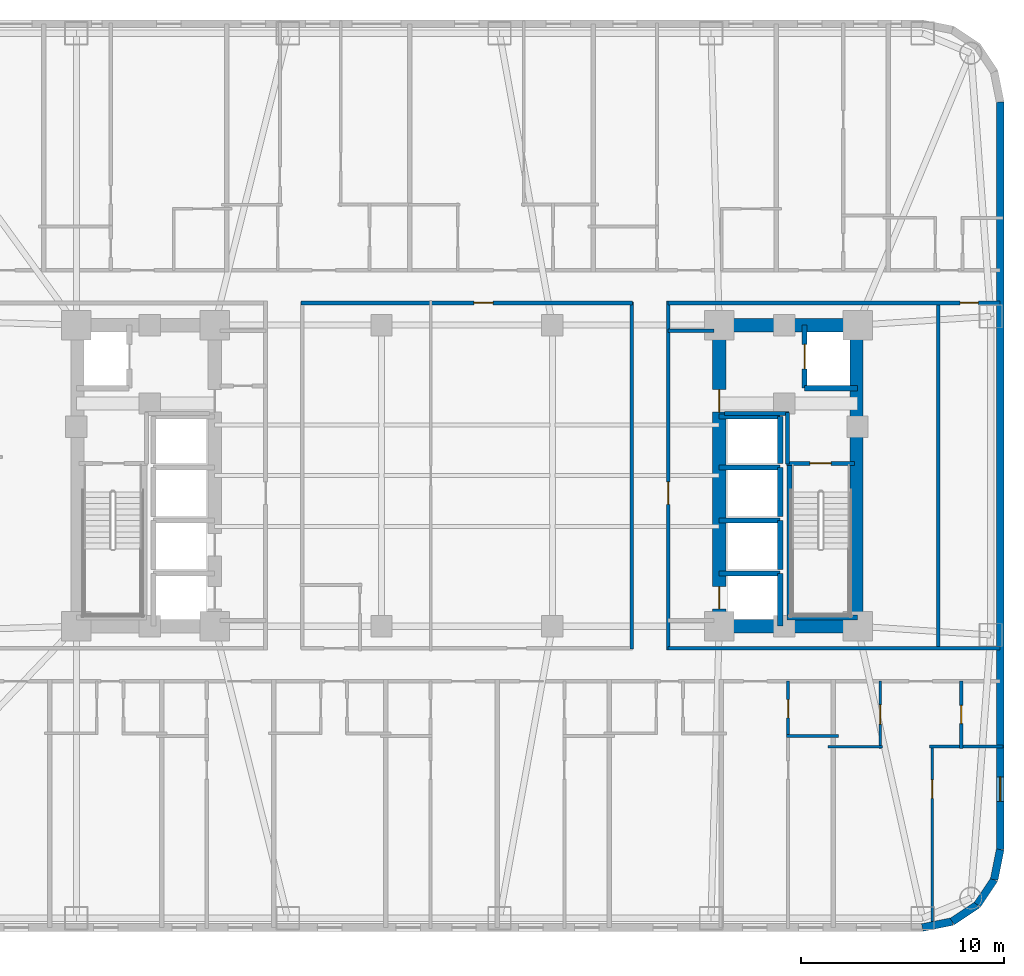
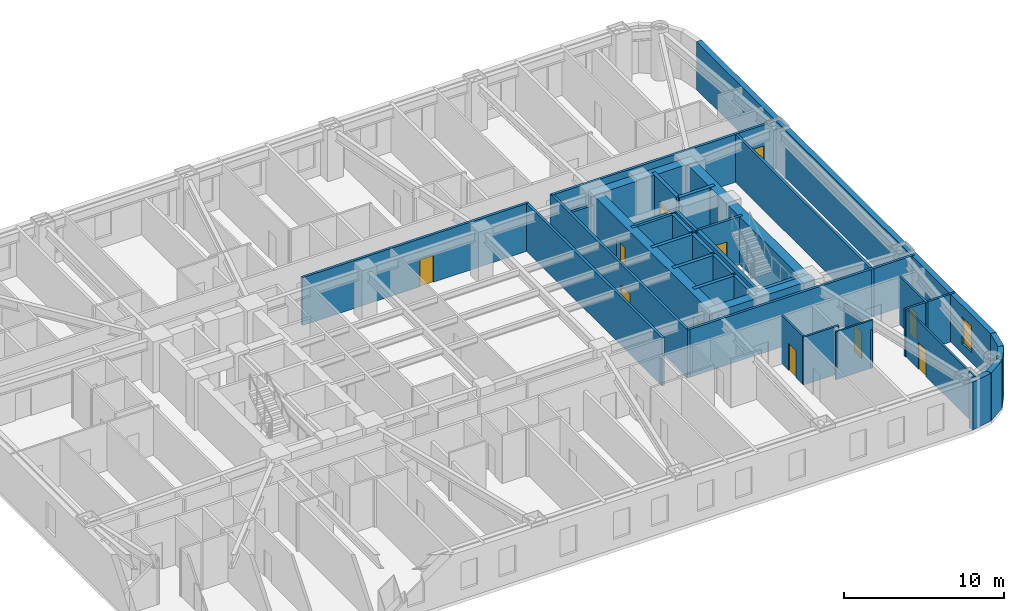
# One storey, part 6 of 11: 38 walls, 11 doors, 1 window, 12 openings.
"""IFC4 building model written with IfcOpenShell, lengths in metres."""

from ifc_helpers import new_model, si_unit, direction, frame, frame_2d, origin, place, context, subcontext, project, spatial, rectangle, extrude, material, layer, layer_set, type_object, element, fill, save


model = new_model("IFC4")

# Units and contexts
model_context = context("Model", 3, precision=1e-05, world=origin(), true_north=direction((0.0, 1.0)))
body_context = subcontext(model_context, "Body", "Model", "MODEL_VIEW")
ifc_project = project(units=[si_unit("LENGTHUNIT", "METRE"), si_unit("AREAUNIT", "SQUARE_METRE"), si_unit("VOLUMEUNIT", "CUBIC_METRE"), si_unit("PLANEANGLEUNIT", "RADIAN"), si_unit("MASSUNIT", "GRAM", prefix="KILO")], contexts=[model_context])

# Site, building, storey
site_placement = place(None, origin())
site = spatial("IfcSite", under=ifc_project, at=site_placement, CompositionType="ELEMENT")
building_placement = place(site_placement, origin())
building = spatial("IfcBuilding", under=site, at=building_placement, Name="Voryun Gate Residences", CompositionType="ELEMENT")
storey_placement = place(building_placement, frame((0.0, 0.0, 33.800048828125)))
storey = spatial("IfcBuildingStorey", under=building, at=storey_placement, Name="L07", CompositionType="ELEMENT", Elevation=33.800048828125)

# Walls
ifc_material_1 = material(Name="Concrete C60/75", Category="concrete")
ifc_layer_1 = layer(ifc_material_1, 0.64990234375, Name="CW_CORE_650")
ifc_layer_set_1 = layer_set([ifc_layer_1], Name="Concrete C60/75")
wall_type_1 = type_object("IfcWallType", Name="CW_CORE_650", PredefinedType="SHEAR", material=ifc_layer_set_1)
for number, where, z_axis, x_axis, name in (
    (1, (12.074951171875, -7.39990234375, 0.0), (0.0, 0.0, 1.0), (1.0, 0.0, 0.0), "L07 Core shear wall CW-L07-ES"),
    (2, (12.074951171875, 7.39990234375, 0.0), (0.0, 0.0, 1.0), (1.0, 0.0, 0.0), "L07 Core shear wall CW-L07-EN"),
):
    element("IfcWall", number, at=place(storey_placement, frame(where, z_axis=z_axis, x_axis=x_axis)), inside=storey, type_object=wall_type_1, Name=name, PredefinedType="SHEAR", context=body_context, shape_type="SweptSolid", body=[
        extrude(rectangle(XDim=7.449951171875, YDim=0.64990234375, at=frame_2d((3.72509765625, 0.0))), origin(), (0.0, 0.0, 1.0), 3.64990234375),
    ])

# Wall, openings, doors
wall_1_placement = place(storey_placement, frame((12.39990234375, -7.39990234375, 0.0), z_axis=(0.0, 0.0, 1.0), x_axis=(0.0, 1.0, 0.0)))
wall_1 = element("IfcWall", 3, at=wall_1_placement, inside=storey, type_object=wall_type_1, Name="L07 Core shear wall CW-L07-EW", PredefinedType="SHEAR", context=body_context, shape_type="SweptSolid", body=[
    extrude(rectangle(XDim=14.7998046875, YDim=0.64990234375, at=frame_2d((7.39990234375, 0.0))), origin(), (0.0, 0.0, 1.0), 3.64990234375),
])
opening_1_placement = place(wall_1_placement, frame((0.85009765625, 0.0, 0.0)))
opening_1 = element("IfcOpeningElement", 4, at=opening_1_placement, cuts=wall_1, Name="Opening LD2", PredefinedType="OPENING", context=body_context, shape_type="SweptSolid", body=[
    extrude(rectangle(XDim=1.10009765625, YDim=2.050048828125, at=frame_2d((0.550048828125, 1.02490234375))), frame((0.0, 0.3349609375, 0.0), z_axis=(0.0, -1.0, 0.0), x_axis=(1.0, 0.0, 0.0)), (0.0, 0.0, 1.0), 0.669921875),
])
opening_2_placement = place(wall_1_placement, frame((10.530029296875, 0.0, 0.0)))
opening_2 = element("IfcOpeningElement", 5, at=opening_2_placement, cuts=wall_1, Name="Opening D-FD60-2", PredefinedType="OPENING", context=body_context, shape_type="SweptSolid", body=[
    extrude(rectangle(XDim=1.10009765625, YDim=2.050048828125, at=frame_2d((0.550048828125, 1.02490234375))), frame((0.0, 0.3349609375, 0.0), z_axis=(0.0, -1.0, 0.0), x_axis=(1.0, 0.0, 0.0)), (0.0, 0.0, 1.0), 0.669921875),
])
ifc_material_2 = material(Name="Painted steel fire door", Category="steel")
door_type_1 = type_object("IfcDoorType", Name="DR_FD60_FFLOB_1100", OperationType="NOTDEFINED", PredefinedType="DOOR", material=ifc_material_2)
door_1_placement = place(opening_2_placement, origin())
door_1 = element("IfcDoor", 6, at=door_1_placement, inside=storey, type_object=door_type_1, Name="Door DR-L07-CLOB-E", OperationType="SINGLE_SWING_RIGHT", OverallHeight=2.050048828125, OverallWidth=1.10009765625, PredefinedType="DOOR", context=body_context, shape_type="SweptSolid", body=[
    extrude(rectangle(XDim=1.10009765625, YDim=2.050048828125, at=frame_2d((0.550048828125, 1.02490234375))), frame((0.0, 0.02490234375, 0.0), z_axis=(0.0, -1.0, 0.0), x_axis=(1.0, 0.0, 0.0)), (0.0, 0.0, 1.0), 0.050048828125),
])
fill(opening_2, door_1)
ifc_material_3 = material(Name="Anodised aluminium", Category="aluminium")
door_type_2 = type_object("IfcDoorType", Name="DR_LD_PASS_1100", OperationType="NOTDEFINED", PredefinedType="DOOR", material=ifc_material_3)
door_2_placement = place(opening_1_placement, origin())
door_2 = element("IfcDoor", 7, at=door_2_placement, inside=storey, type_object=door_type_2, Name="Lift EL-P3 sliding landing door L07", OperationType="SLIDING_TO_LEFT", OverallHeight=2.050048828125, OverallWidth=1.10009765625, PredefinedType="DOOR", context=body_context, shape_type="SweptSolid", body=[
    extrude(rectangle(XDim=1.10009765625, YDim=2.050048828125, at=frame_2d((0.550048828125, 1.02490234375))), frame((0.0, 0.02490234375, 0.0), z_axis=(0.0, -1.0, 0.0), x_axis=(1.0, 0.0, 0.0)), (0.0, 0.0, 1.0), 0.050048828125),
])
fill(opening_1, door_2)

# Wall
wall_2_placement = place(storey_placement, frame((19.14501953125, -7.39990234375, 0.0), z_axis=(0.0, 0.0, 1.0), x_axis=(0.0, 1.0, 0.0)))
element("IfcWall", 8, at=wall_2_placement, inside=storey, type_object=wall_type_1, Name="L07 Core shear wall CW-L07-EE", PredefinedType="SHEAR", context=body_context, shape_type="SweptSolid", body=[
    extrude(rectangle(XDim=14.7998046875, YDim=0.64990234375, at=frame_2d((7.39990234375, 0.0))), origin(), (0.0, 0.0, 1.0), 3.64990234375),
])

# Wall, opening, door
ifc_material_4 = material(Name="Gypsum acoustic fireboard")
ifc_layer_2 = layer(ifc_material_4, 0.179931640625, Name="W_CORR_RATED_180")
ifc_layer_set_2 = layer_set([ifc_layer_2], Name="Gypsum acoustic fireboard")
wall_type_2 = type_object("IfcWallType", Name="W_CORR_RATED_180", PredefinedType="PARTITIONING", material=ifc_layer_set_2)
wall_3_placement = place(storey_placement, frame((15.699951171875, 0.60009765625, 0.0), z_axis=(0.0, 0.0, 1.0), x_axis=(1.0, 0.0, 0.0)))
wall_3 = element("IfcWall", 9, at=wall_3_placement, inside=storey, type_object=wall_type_2, Name="Partition wall WP-L07-STV-E", PredefinedType="PARTITIONING", context=body_context, shape_type="SweptSolid", body=[
    extrude(rectangle(XDim=3.360107421875, YDim=0.179931640625, at=frame_2d((1.68017578125, 0.0))), origin(), (0.0, 0.0, 1.0), 3.64990234375),
])
opening_3_placement = place(wall_3_placement, frame((1.155029296875, 0.0, 0.0)))
opening_3 = element("IfcOpeningElement", 10, at=opening_3_placement, cuts=wall_3, Name="Opening D-FD60-1", PredefinedType="OPENING", context=body_context, shape_type="SweptSolid", body=[
    extrude(rectangle(XDim=1.050048828125, YDim=2.050048828125, at=frame_2d((0.52490234375, 1.02490234375))), frame((0.0, 0.099853515625, 0.0), z_axis=(0.0, -1.0, 0.0), x_axis=(1.0, 0.0, 0.0)), (0.0, 0.0, 1.0), 0.199951171875),
])
ifc_material_5 = material(Name="Painted steel fire door", Category="steel")
door_type_3 = type_object("IfcDoorType", Name="DR_FD60_STAIR_1050", OperationType="NOTDEFINED", PredefinedType="DOOR", material=ifc_material_5)
door_3_placement = place(opening_3_placement, origin())
door_3 = element("IfcDoor", 11, at=door_3_placement, inside=storey, type_object=door_type_3, Name="Door DR-L07-ST-E", OperationType="SINGLE_SWING_RIGHT", OverallHeight=2.050048828125, OverallWidth=1.050048828125, PredefinedType="DOOR", context=body_context, shape_type="SweptSolid", body=[
    extrude(rectangle(XDim=1.050048828125, YDim=2.050048828125, at=frame_2d((0.52490234375, 1.02490234375))), frame((0.0, 0.02490234375, 0.0), z_axis=(0.0, -1.0, 0.0), x_axis=(1.0, 0.0, 0.0)), (0.0, 0.0, 1.0), 0.050048828125),
])
fill(opening_3, door_3)

# Wall
wall_4_placement = place(storey_placement, frame((9.8798828125, 7.1201171875, 0.0), z_axis=(0.0, 0.0, 1.0), x_axis=(1.0, 0.0, 0.0)))
element("IfcWall", 12, at=wall_4_placement, inside=storey, type_object=wall_type_2, Name="Partition wall WP-L07-PLBN-E", PredefinedType="PARTITIONING", context=body_context, shape_type="SweptSolid", body=[
    extrude(rectangle(XDim=2.27001953125, YDim=0.179931640625, at=frame_2d((1.135009765625, 0.0))), origin(), (0.0, 0.0, 1.0), 2.93994140625),
])

# Wall, opening, door
wall_5_placement = place(storey_placement, frame((9.89990234375, -8.580078125, 0.0), z_axis=(0.0, 0.0, 1.0), x_axis=(0.0, 1.0, 0.0)))
wall_5 = element("IfcWall", 13, at=wall_5_placement, inside=storey, type_object=wall_type_2, Name="Partition wall WP-L07-PLBE-FULL", PredefinedType="PARTITIONING", context=body_context, shape_type="SweptSolid", body=[
    extrude(rectangle(XDim=17.16015625, YDim=0.179931640625, at=frame_2d((8.580078125, 0.0))), origin(), (0.0, 0.0, 1.0), 3.64990234375),
])
opening_4_placement = place(wall_5_placement, frame((7.172119140625, 0.0, 0.0)))
opening_4 = element("IfcOpeningElement", 14, at=opening_4_placement, cuts=wall_5, Name="Opening D-FD60-2", PredefinedType="OPENING", context=body_context, shape_type="SweptSolid", body=[
    extrude(rectangle(XDim=1.10009765625, YDim=2.050048828125, at=frame_2d((0.550048828125, 1.02490234375))), frame((0.0, 0.099853515625, 0.0), z_axis=(0.0, -1.0, 0.0), x_axis=(1.0, 0.0, 0.0)), (0.0, 0.0, 1.0), 0.199951171875),
])
door_4_placement = place(opening_4_placement, origin())
door_4 = element("IfcDoor", 15, at=door_4_placement, inside=storey, type_object=door_type_1, Name="Door DR-L07-PLBE-COR", OperationType="SINGLE_SWING_RIGHT", OverallHeight=2.050048828125, OverallWidth=1.10009765625, PredefinedType="DOOR", context=body_context, shape_type="SweptSolid", body=[
    extrude(rectangle(XDim=1.10009765625, YDim=2.050048828125, at=frame_2d((0.550048828125, 1.02490234375))), frame((0.0, 0.02490234375, 0.0), z_axis=(0.0, -1.0, 0.0), x_axis=(1.0, 0.0, 0.0)), (0.0, 0.0, 1.0), 0.050048828125),
])
fill(opening_4, door_4)

wall_6_placement = place(storey_placement, frame((9.8798828125, 8.489990234375, 0.0), z_axis=(0.0, 0.0, 1.0), x_axis=(1.0, 0.0, 0.0)))
wall_6 = element("IfcWall", 16, at=wall_6_placement, inside=storey, type_object=wall_type_2, Name="Partition wall WP-L07-CWING-EN", PredefinedType="PARTITIONING", context=body_context, shape_type="SweptSolid", body=[
    extrude(rectangle(XDim=16.330078125, YDim=0.179931640625, at=frame_2d((8.1650390625, 0.0))), origin(), (0.0, 0.0, 1.0), 3.64990234375),
])
opening_5_placement = place(wall_6_placement, frame((14.364501953125, 0.0, 0.0)))
opening_5 = element("IfcOpeningElement", 17, at=opening_5_placement, cuts=wall_6, Name="Opening D-INT-2", PredefinedType="OPENING", context=body_context, shape_type="SweptSolid", body=[
    extrude(rectangle(XDim=0.89990234375, YDim=2.050048828125, at=frame_2d((0.449951171875, 1.02490234375))), frame((0.0, 0.099853515625, 0.0), z_axis=(0.0, -1.0, 0.0), x_axis=(1.0, 0.0, 0.0)), (0.0, 0.0, 1.0), 0.199951171875),
])
ifc_material_6 = material(Name="Architectural oak veneer")
door_type_4 = type_object("IfcDoorType", Name="DR_INT_BATH_900", OperationType="NOTDEFINED", PredefinedType="DOOR", material=ifc_material_6)
door_5_placement = place(opening_5_placement, origin())
door_5 = element("IfcDoor", 18, at=door_5_placement, inside=storey, type_object=door_type_4, Name="Door DR-L07-EE1N", OperationType="SINGLE_SWING_LEFT", OverallHeight=2.050048828125, OverallWidth=0.89990234375, PredefinedType="DOOR", context=body_context, shape_type="SweptSolid", body=[
    extrude(rectangle(XDim=0.89990234375, YDim=2.050048828125, at=frame_2d((0.449951171875, 1.02490234375))), frame((0.0, 0.02490234375, 0.0), z_axis=(0.0, -1.0, 0.0), x_axis=(1.0, 0.0, 0.0)), (0.0, 0.0, 1.0), 0.050048828125),
])
fill(opening_5, door_5)

# Wall
wall_7_placement = place(storey_placement, frame((9.8798828125, -8.489990234375, 0.0), z_axis=(0.0, 0.0, 1.0), x_axis=(1.0, 0.0, 0.0)))
element("IfcWall", 19, at=wall_7_placement, inside=storey, type_object=wall_type_2, Name="Partition wall WP-L07-CWING-ES", PredefinedType="PARTITIONING", context=body_context, shape_type="SweptSolid", body=[
    extrude(rectangle(XDim=16.330078125, YDim=0.179931640625, at=frame_2d((8.1650390625, 0.0))), origin(), (0.0, 0.0, 1.0), 3.64990234375),
])

# Wall, opening, door
wall_8_placement = place(storey_placement, frame((-8.14990234375, 8.489990234375, 0.0), z_axis=(0.0, 0.0, 1.0), x_axis=(1.0, 0.0, 0.0)))
wall_8 = element("IfcWall", 20, at=wall_8_placement, inside=storey, type_object=wall_type_2, Name="Partition wall WP-L07-Z1N", PredefinedType="PARTITIONING", context=body_context, shape_type="SweptSolid", body=[
    extrude(rectangle(XDim=16.2998046875, YDim=0.179931640625, at=frame_2d((8.14990234375, 0.0))), origin(), (0.0, 0.0, 1.0), 3.64990234375),
])
opening_6_placement = place(wall_8_placement, frame((8.489990234375, 0.0, 0.0)))
opening_6 = element("IfcOpeningElement", 21, at=opening_6_placement, cuts=wall_8, Name="Opening D-INT-1", PredefinedType="OPENING", context=body_context, shape_type="SweptSolid", body=[
    extrude(rectangle(XDim=0.949951171875, YDim=2.050048828125, at=frame_2d((0.47509765625, 1.02490234375))), frame((0.0, 0.099853515625, 0.0), z_axis=(0.0, -1.0, 0.0), x_axis=(1.0, 0.0, 0.0)), (0.0, 0.0, 1.0), 0.199951171875),
])
ifc_material_7 = material(Name="Architectural oak veneer")
door_type_5 = type_object("IfcDoorType", Name="DR_INT_ROOM_950", OperationType="NOTDEFINED", PredefinedType="DOOR", material=ifc_material_7)
door_6_placement = place(opening_6_placement, origin())
door_6 = element("IfcDoor", 22, at=door_6_placement, inside=storey, type_object=door_type_5, Name="Door DR-L07-CMIDZ1N", OperationType="SINGLE_SWING_LEFT", OverallHeight=2.050048828125, OverallWidth=0.949951171875, PredefinedType="DOOR", context=body_context, shape_type="SweptSolid", body=[
    extrude(rectangle(XDim=0.949951171875, YDim=2.050048828125, at=frame_2d((0.47509765625, 1.02490234375))), frame((0.0, 0.02490234375, 0.0), z_axis=(0.0, -1.0, 0.0), x_axis=(1.0, 0.0, 0.0)), (0.0, 0.0, 1.0), 0.050048828125),
])
fill(opening_6, door_6)

# Walls
wall_9_placement = place(storey_placement, frame((8.10009765625, -8.530029296875, 0.0), z_axis=(0.0, 0.0, 1.0), x_axis=(0.0, 1.0, 0.0)))
element("IfcWall", 23, at=wall_9_placement, inside=storey, type_object=wall_type_2, Name="Partition wall WP-L07-Z1E", PredefinedType="PARTITIONING", context=body_context, shape_type="SweptSolid", body=[
    extrude(rectangle(XDim=17.06005859375, YDim=0.179931640625, at=frame_2d((8.530029296875, 0.0))), origin(), (0.0, 0.0, 1.0), 3.64990234375),
])
wall_10_placement = place(storey_placement, frame((23.169921875, -8.580078125, 0.0), z_axis=(0.0, 0.0, 1.0), x_axis=(0.0, 1.0, 0.0)))
element("IfcWall", 24, at=wall_10_placement, inside=storey, type_object=wall_type_2, Name="Partition wall WP-L07-EEND", PredefinedType="PARTITIONING", context=body_context, shape_type="SweptSolid", body=[
    extrude(rectangle(XDim=17.16015625, YDim=0.179931640625, at=frame_2d((8.580078125, 0.0))), origin(), (0.0, 0.0, 1.0), 3.64990234375),
])

# Wall, opening, window
ifc_material_8 = material(Name="Granite masonry", Category="masonry")
ifc_layer_3 = layer(ifc_material_8, 0.3798828125, Name="W_EXT_GRANITE_380")
ifc_layer_set_3 = layer_set([ifc_layer_3], Name="Granite masonry")
wall_type_3 = type_object("IfcWallType", Name="W_EXT_GRANITE_380", PredefinedType="ELEMENTEDWALL", material=ifc_layer_set_3)
wall_11_placement = place(storey_placement, frame((26.2099609375, 18.38134765625, 0.0), z_axis=(0.0, 0.0, 1.0), x_axis=(0.0, -1.0, 0.0)))
wall_11 = element("IfcWall", 25, at=wall_11_placement, inside=storey, type_object=wall_type_3, Name="Exterior wall WEXT-L07-16", PredefinedType="ELEMENTEDWALL", context=body_context, shape_type="SweptSolid", body=[
    extrude(rectangle(XDim=36.7626953125, YDim=0.3798828125, at=frame_2d((18.38134765625, 0.0))), origin(), (0.0, 0.0, 1.0), 3.64990234375),
])
opening_7_placement = place(wall_11_placement, frame((33.18701171875, 0.0, 0.75)))
opening_7 = element("IfcOpeningElement", 26, at=opening_7_placement, cuts=wall_11, Name="Opening WN6", PredefinedType="OPENING", context=body_context, shape_type="SweptSolid", body=[
    extrude(rectangle(XDim=1.199951171875, YDim=2.050048828125, at=frame_2d((0.60009765625, 1.02490234375))), frame((0.0, 0.199951171875, 0.0), z_axis=(0.0, -1.0, 0.0), x_axis=(1.0, 0.0, 0.0)), (0.0, 0.0, 1.0), 0.39990234375),
])
ifc_material_9 = material(Name="Laminated low-E glass", Category="glass")
window_type = type_object("IfcWindowType", Name="WN_POD_SLOT_1200", PartitioningType="SINGLE_PANEL", PredefinedType="WINDOW", material=ifc_material_9)
window_placement = place(opening_7_placement, origin())
window = element("IfcWindow", 27, at=window_placement, inside=storey, type_object=window_type, Name="Window WN-L07-DWFIX-30", OverallHeight=2.050048828125, OverallWidth=1.199951171875, PartitioningType="SINGLE_PANEL", PredefinedType="WINDOW", context=body_context, shape_type="SweptSolid", body=[
    extrude(rectangle(XDim=1.199951171875, YDim=2.050048828125, at=frame_2d((0.60009765625, 1.02490234375))), frame((0.0, 0.030029296875, 0.0), z_axis=(0.0, -1.0, 0.0), x_axis=(1.0, 0.0, 0.0)), (0.0, 0.0, 1.0), 0.06005859375),
])
fill(opening_7, window)

# Walls
wall_12_placement = place(storey_placement, frame((26.2099609375, -18.38134765625, 0.0), z_axis=(0.0, 0.0, 1.0), x_axis=(-0.195086038585, -0.980786132421, 0.0)))
element("IfcWall", 28, at=wall_12_placement, inside=storey, type_object=wall_type_3, Name="Exterior wall WEXT-L07-17", PredefinedType="ELEMENTEDWALL", context=body_context, shape_type="SweptSolid", body=[
    extrude(rectangle(XDim=1.504150390625, YDim=0.3798828125, at=frame_2d((0.751953125, 0.0))), origin(), (0.0, 0.0, 1.0), 3.64990234375),
])
for number, where, z_axis, x_axis, name in (
    (29, (25.91650390625, -19.856689453125, 0.0), (0.0, 0.0, 1.0), (-0.555686231674, -0.831392092774, 0.0), "Exterior wall WEXT-L07-18"),
    (30, (25.09130859375, -21.09130859375, 0.0), (0.0, 0.0, 1.0), (-0.831392092774, -0.555686231674, 0.0), "Exterior wall WEXT-L07-19"),
):
    element("IfcWall", number, at=place(storey_placement, frame(where, z_axis=z_axis, x_axis=x_axis)), inside=storey, type_object=wall_type_3, Name=name, PredefinedType="ELEMENTEDWALL", context=body_context, shape_type="SweptSolid", body=[
        extrude(rectangle(XDim=1.485107421875, YDim=0.3798828125, at=frame_2d((0.74267578125, 0.0))), origin(), (0.0, 0.0, 1.0), 3.64990234375),
    ])
wall_13_placement = place(storey_placement, frame((23.856689453125, -21.91650390625, 0.0), z_axis=(0.0, 0.0, 1.0), x_axis=(-0.980786132421, -0.195086038585, 0.0)))
element("IfcWall", 31, at=wall_13_placement, inside=storey, type_object=wall_type_3, Name="Exterior wall WEXT-L07-20", PredefinedType="ELEMENTEDWALL", context=body_context, shape_type="SweptSolid", body=[
    extrude(rectangle(XDim=1.504150390625, YDim=0.3798828125, at=frame_2d((0.751953125, 0.0))), origin(), (0.0, 0.0, 1.0), 3.64990234375),
])
ifc_material_10 = material(Name="Concrete C40/50", Category="concrete")
ifc_layer_4 = layer(ifc_material_10, 0.199951171875, Name="W_FF_LOBBY_200")
ifc_layer_set_4 = layer_set([ifc_layer_4], Name="Concrete C40/50")
wall_type_4 = type_object("IfcWallType", Name="W_FF_LOBBY_200", PredefinedType="PARTITIONING", material=ifc_layer_set_4)
wall_14_placement = place(storey_placement, frame((15.760009765625, 0.580078125, 0.0), z_axis=(0.0, 0.0, 1.0), x_axis=(0.0, 1.0, 0.0)))
element("IfcWall", 32, at=wall_14_placement, inside=storey, type_object=wall_type_4, Name="Partition wall WP-L07-FFP0-E", PredefinedType="PARTITIONING", context=body_context, shape_type="SweptSolid", body=[
    extrude(rectangle(XDim=2.52001953125, YDim=0.199951171875, at=frame_2d((1.260009765625, 0.0))), origin(), (0.0, 0.0, 1.0), 3.64990234375),
])
wall_15_placement = place(storey_placement, frame((12.659912109375, 3.06005859375, 0.0), z_axis=(0.0, 0.0, 1.0), x_axis=(1.0, 0.0, 0.0)))
element("IfcWall", 33, at=wall_15_placement, inside=storey, type_object=wall_type_4, Name="Partition wall WP-L07-FFPS-E", PredefinedType="PARTITIONING", context=body_context, shape_type="SweptSolid", body=[
    extrude(rectangle(XDim=3.16015625, YDim=0.199951171875, at=frame_2d((1.580078125, 0.0))), origin(), (0.0, 0.0, 1.0), 3.64990234375),
])
ifc_material_11 = material(Name="Concrete C50/60", Category="concrete")
ifc_layer_5 = layer(ifc_material_11, 0.25, Name="W_SHAFT_RC250")
ifc_layer_set_5 = layer_set([ifc_layer_5], Name="Concrete C50/60")
wall_type_5 = type_object("IfcWallType", Name="W_SHAFT_RC250", PredefinedType="SOLIDWALL", material=ifc_layer_set_5)
wall_16_placement = place(storey_placement, frame((15.860107421875, -7.0849609375, 0.0), z_axis=(0.0, 0.0, 1.0), x_axis=(0.0, 1.0, 0.0)))
element("IfcWall", 34, at=wall_16_placement, inside=storey, type_object=wall_type_5, Name="L07 Stair shaft structural wall E-STL", PredefinedType="SOLIDWALL", context=body_context, shape_type="SweptSolid", body=[
    extrude(rectangle(XDim=7.68505859375, YDim=0.25, at=frame_2d((3.842529296875, 0.0))), origin(), (0.0, 0.0, 1.0), 3.64990234375),
])
wall_17_placement = place(storey_placement, frame((15.739990234375, -6.965087890625, 0.0), z_axis=(0.0, 0.0, 1.0), x_axis=(1.0, 0.0, 0.0)))
element("IfcWall", 35, at=wall_17_placement, inside=storey, type_object=wall_type_5, Name="L07 Stair shaft structural wall E-STS", PredefinedType="SOLIDWALL", context=body_context, shape_type="SweptSolid", body=[
    extrude(rectangle(XDim=3.4599609375, YDim=0.25, at=frame_2d((1.72998046875, 0.0))), origin(), (0.0, 0.0, 1.0), 3.64990234375),
])
wall_18_placement = place(storey_placement, frame((16.60009765625, 4.300048828125, 0.0), z_axis=(0.0, 0.0, 1.0), x_axis=(1.0, 0.0, 0.0)))
element("IfcWall", 36, at=wall_18_placement, inside=storey, type_object=wall_type_5, Name="Lift shaft wall WSH-L07-EL-FF-E1-S", PredefinedType="SOLIDWALL", context=body_context, shape_type="SweptSolid", body=[
    extrude(rectangle(XDim=2.599853515625, YDim=0.25, at=frame_2d((1.2998046875, 0.0))), origin(), (0.0, 0.0, 1.0), 3.64990234375),
])

# Wall, opening, door
wall_19_placement = place(storey_placement, frame((16.60009765625, 7.39990234375, 0.0), z_axis=(0.0, 0.0, 1.0), x_axis=(0.0, -1.0, 0.0)))
wall_19 = element("IfcWall", 37, at=wall_19_placement, inside=storey, type_object=wall_type_5, Name="Lift shaft wall WSH-L07-EL-FF-E1-W", PredefinedType="SOLIDWALL", context=body_context, shape_type="SweptSolid", body=[
    extrude(rectangle(XDim=3.099853515625, YDim=0.25, at=frame_2d((1.5498046875, 0.0))), origin(), (0.0, 0.0, 1.0), 3.64990234375),
])
opening_8_placement = place(wall_19_placement, frame((0.949951171875, 0.0, 0.0)))
opening_8 = element("IfcOpeningElement", 38, at=opening_8_placement, cuts=wall_19, Name="Opening LD1", PredefinedType="OPENING", context=body_context, shape_type="SweptSolid", body=[
    extrude(rectangle(XDim=1.199951171875, YDim=2.050048828125, at=frame_2d((0.60009765625, 1.02490234375))), frame((0.0, 0.135009765625, 0.0), z_axis=(0.0, -1.0, 0.0), x_axis=(1.0, 0.0, 0.0)), (0.0, 0.0, 1.0), 0.27001953125),
])
ifc_material_12 = material(Name="Anodised aluminium", Category="aluminium")
door_type_6 = type_object("IfcDoorType", Name="DR_LD_FF_1200", OperationType="NOTDEFINED", PredefinedType="DOOR", material=ifc_material_12)
door_7_placement = place(opening_8_placement, origin())
door_7 = element("IfcDoor", 39, at=door_7_placement, inside=storey, type_object=door_type_6, Name="Lift EL-FF-E1 sliding landing door L07", OperationType="SLIDING_TO_LEFT", OverallHeight=2.050048828125, OverallWidth=1.199951171875, PredefinedType="DOOR", context=body_context, shape_type="SweptSolid", body=[
    extrude(rectangle(XDim=1.199951171875, YDim=2.050048828125, at=frame_2d((0.60009765625, 1.02490234375))), frame((0.0, 0.02490234375, 0.0), z_axis=(0.0, -1.0, 0.0), x_axis=(1.0, 0.0, 0.0)), (0.0, 0.0, 1.0), 0.050048828125),
])
fill(opening_8, door_7)

# Walls
wall_20_placement = place(storey_placement, frame((15.39990234375, -7.39990234375, 0.0), z_axis=(0.0, 0.0, 1.0), x_axis=(0.0, 1.0, 0.0)))
element("IfcWall", 40, at=wall_20_placement, inside=storey, type_object=wall_type_5, Name="Lift shaft wall WSH-L07-EL-P3-E", PredefinedType="SOLIDWALL", context=body_context, shape_type="SweptSolid", body=[
    extrude(rectangle(XDim=2.599853515625, YDim=0.25, at=frame_2d((1.2998046875, 0.0))), origin(), (0.0, 0.0, 1.0), 3.64990234375),
])
wall_21_placement = place(storey_placement, frame((15.39990234375, -4.800048828125, 0.0), z_axis=(0.0, 0.0, 1.0), x_axis=(-1.0, 0.0, 0.0)))
element("IfcWall", 41, at=wall_21_placement, inside=storey, type_object=wall_type_5, Name="Lift shaft wall WSH-L07-EL-P3-N", PredefinedType="SOLIDWALL", context=body_context, shape_type="SweptSolid", body=[
    extrude(rectangle(XDim=3.0, YDim=0.25, at=frame_2d((1.5, 0.0))), origin(), (0.0, 0.0, 1.0), 3.64990234375),
])
wall_22_placement = place(storey_placement, frame((15.39990234375, -4.60009765625, 0.0), z_axis=(0.0, 0.0, 1.0), x_axis=(0.0, 1.0, 0.0)))
element("IfcWall", 42, at=wall_22_placement, inside=storey, type_object=wall_type_5, Name="Lift shaft wall WSH-L07-EL-P5-E", PredefinedType="SOLIDWALL", context=body_context, shape_type="SweptSolid", body=[
    extrude(rectangle(XDim=2.400146484375, YDim=0.25, at=frame_2d((1.2001953125, 0.0))), origin(), (0.0, 0.0, 1.0), 3.64990234375),
])
wall_23_placement = place(storey_placement, frame((15.39990234375, -2.199951171875, 0.0), z_axis=(0.0, 0.0, 1.0), x_axis=(-1.0, 0.0, 0.0)))
element("IfcWall", 43, at=wall_23_placement, inside=storey, type_object=wall_type_5, Name="Lift shaft wall WSH-L07-EL-P5-N", PredefinedType="SOLIDWALL", context=body_context, shape_type="SweptSolid", body=[
    extrude(rectangle(XDim=3.0, YDim=0.25, at=frame_2d((1.5, 0.0))), origin(), (0.0, 0.0, 1.0), 3.64990234375),
])
wall_24_placement = place(storey_placement, frame((15.39990234375, -2.0, 0.0), z_axis=(0.0, 0.0, 1.0), x_axis=(0.0, 1.0, 0.0)))
element("IfcWall", 44, at=wall_24_placement, inside=storey, type_object=wall_type_5, Name="Lift shaft wall WSH-L07-EL-P6-E", PredefinedType="SOLIDWALL", context=body_context, shape_type="SweptSolid", body=[
    extrude(rectangle(XDim=2.39990234375, YDim=0.25, at=frame_2d((1.199951171875, 0.0))), origin(), (0.0, 0.0, 1.0), 3.64990234375),
])
wall_25_placement = place(storey_placement, frame((15.39990234375, 0.39990234375, 0.0), z_axis=(0.0, 0.0, 1.0), x_axis=(-1.0, 0.0, 0.0)))
element("IfcWall", 45, at=wall_25_placement, inside=storey, type_object=wall_type_5, Name="Lift shaft wall WSH-L07-EL-P6-N", PredefinedType="SOLIDWALL", context=body_context, shape_type="SweptSolid", body=[
    extrude(rectangle(XDim=3.0, YDim=0.25, at=frame_2d((1.5, 0.0))), origin(), (0.0, 0.0, 1.0), 3.64990234375),
])
wall_26_placement = place(storey_placement, frame((15.39990234375, 0.60009765625, 0.0), z_axis=(0.0, 0.0, 1.0), x_axis=(0.0, 1.0, 0.0)))
element("IfcWall", 46, at=wall_26_placement, inside=storey, type_object=wall_type_5, Name="Lift shaft wall WSH-L07-EL-P8-E", PredefinedType="SOLIDWALL", context=body_context, shape_type="SweptSolid", body=[
    extrude(rectangle(XDim=2.2998046875, YDim=0.25, at=frame_2d((1.14990234375, 0.0))), origin(), (0.0, 0.0, 1.0), 3.64990234375),
])
wall_27_placement = place(storey_placement, frame((15.39990234375, 2.89990234375, 0.0), z_axis=(0.0, 0.0, 1.0), x_axis=(-1.0, 0.0, 0.0)))
element("IfcWall", 47, at=wall_27_placement, inside=storey, type_object=wall_type_5, Name="Lift shaft wall WSH-L07-EL-P8-N", PredefinedType="SOLIDWALL", context=body_context, shape_type="SweptSolid", body=[
    extrude(rectangle(XDim=3.0, YDim=0.25, at=frame_2d((1.5, 0.0))), origin(), (0.0, 0.0, 1.0), 3.64990234375),
])

# Wall, opening, door
ifc_material_13 = material(Name="Gypsum acoustic partition")
ifc_layer_6 = layer(ifc_material_13, 0.125, Name="W_UNIT_PART_125")
ifc_layer_set_6 = layer_set([ifc_layer_6], Name="Gypsum acoustic partition")
wall_type_6 = type_object("IfcWallType", Name="W_UNIT_PART_125", PredefinedType="PARTITIONING", material=ifc_layer_set_6)
wall_28_placement = place(storey_placement, frame((22.867919921875, -22.26611328125, 0.0), z_axis=(0.0, 0.0, 1.0), x_axis=(0.0, 1.0, 0.0)))
wall_28 = element("IfcWall", 48, at=wall_28_placement, inside=storey, type_object=wall_type_6, Name="Partition wall WP-L07-S10-OVR", PredefinedType="PARTITIONING", context=body_context, shape_type="SweptSolid", body=[
    extrude(rectangle(XDim=9.026123046875, YDim=0.125, at=frame_2d((4.51318359375, 0.0))), origin(), (0.0, 0.0, 1.0), 3.64990234375),
])
opening_9_placement = place(wall_28_placement, frame((6.409912109375, 0.0, 0.0)))
opening_9 = element("IfcOpeningElement", 49, at=opening_9_placement, cuts=wall_28, Name="Opening D-INT-2", PredefinedType="OPENING", context=body_context, shape_type="SweptSolid", body=[
    extrude(rectangle(XDim=0.89990234375, YDim=2.050048828125, at=frame_2d((0.449951171875, 1.02490234375))), frame((0.0, 0.072509765625, 0.0), z_axis=(0.0, -1.0, 0.0), x_axis=(1.0, 0.0, 0.0)), (0.0, 0.0, 1.0), 0.14501953125),
])
door_8_placement = place(opening_9_placement, origin())
door_8 = element("IfcDoor", 50, at=door_8_placement, inside=storey, type_object=door_type_4, Name="Door DR-L07-S10-DMB", OperationType="SINGLE_SWING_RIGHT", OverallHeight=2.050048828125, OverallWidth=0.89990234375, PredefinedType="DOOR", context=body_context, shape_type="SweptSolid", body=[
    extrude(rectangle(XDim=0.89990234375, YDim=2.050048828125, at=frame_2d((0.449951171875, 1.02490234375))), frame((0.0, 0.02490234375, 0.0), z_axis=(0.0, -1.0, 0.0), x_axis=(1.0, 0.0, 0.0)), (0.0, 0.0, 1.0), 0.050048828125),
])
fill(opening_9, door_8)

wall_29_placement = place(storey_placement, frame((20.31005859375, -13.39990234375, 0.0), z_axis=(0.0, 0.0, 1.0), x_axis=(0.0, 1.0, 0.0)))
wall_29 = element("IfcWall", 51, at=wall_29_placement, inside=storey, type_object=wall_type_6, Name="Partition wall WP-L07-S10-IVK", PredefinedType="PARTITIONING", context=body_context, shape_type="SweptSolid", body=[
    extrude(rectangle(XDim=3.31982421875, YDim=0.125, at=frame_2d((1.659912109375, 0.0))), origin(), (0.0, 0.0, 1.0), 2.93994140625),
])
opening_10_placement = place(wall_29_placement, frame((1.18505859375, 0.0, 0.0)))
opening_10 = element("IfcOpeningElement", 52, at=opening_10_placement, cuts=wall_29, Name="Opening D-INT-1", PredefinedType="OPENING", context=body_context, shape_type="SweptSolid", body=[
    extrude(rectangle(XDim=0.949951171875, YDim=2.050048828125, at=frame_2d((0.47509765625, 1.02490234375))), frame((0.0, 0.072509765625, 0.0), z_axis=(0.0, -1.0, 0.0), x_axis=(1.0, 0.0, 0.0)), (0.0, 0.0, 1.0), 0.14501953125),
])
door_9_placement = place(opening_10_placement, origin())
door_9 = element("IfcDoor", 53, at=door_9_placement, inside=storey, type_object=door_type_5, Name="Door DR-L07-S10-DK", OperationType="SINGLE_SWING_LEFT", OverallHeight=2.050048828125, OverallWidth=0.949951171875, PredefinedType="DOOR", context=body_context, shape_type="SweptSolid", body=[
    extrude(rectangle(XDim=0.949951171875, YDim=2.050048828125, at=frame_2d((0.47509765625, 1.02490234375))), frame((0.0, 0.02490234375, 0.0), z_axis=(0.0, -1.0, 0.0), x_axis=(1.0, 0.0, 0.0)), (0.0, 0.0, 1.0), 0.050048828125),
])
fill(opening_10, door_9)

# Walls
wall_30_placement = place(storey_placement, frame((17.739990234375, -13.320068359375, 0.0), z_axis=(0.0, 0.0, 1.0), x_axis=(1.0, 0.0, 0.0)))
element("IfcWall", 54, at=wall_30_placement, inside=storey, type_object=wall_type_6, Name="Partition wall WP-L07-S10-HZK", PredefinedType="PARTITIONING", context=body_context, shape_type="SweptSolid", body=[
    extrude(rectangle(XDim=2.68994140625, YDim=0.125, at=frame_2d((1.344970703125, 0.0))), origin(), (0.0, 0.0, 1.0), 3.64990234375),
])
ifc_material_14 = material(Name="Gypsum moisture-resistant partition")
ifc_layer_7 = layer(ifc_material_14, 0.14990234375, Name="W_WET_PLUMB_150")
ifc_layer_set_7 = layer_set([ifc_layer_7], Name="Gypsum moisture-resistant partition")
wall_type_7 = type_object("IfcWallType", Name="W_WET_PLUMB_150", PredefinedType="PLUMBINGWALL", material=ifc_layer_set_7)
wall_31_placement = place(storey_placement, frame((15.7099609375, -12.800048828125, 0.0), z_axis=(0.0, 0.0, 1.0), x_axis=(1.0, 0.0, 0.0)))
element("IfcWall", 55, at=wall_31_placement, inside=storey, type_object=wall_type_7, Name="Partition wall WP-L07-S9-SKB", PredefinedType="PLUMBINGWALL", context=body_context, shape_type="SweptSolid", body=[
    extrude(rectangle(XDim=2.550048828125, YDim=0.14990234375, at=frame_2d((1.27490234375, 0.0))), origin(), (0.0, 0.0, 1.0), 3.64990234375),
])

# Wall, opening, door
wall_32_placement = place(storey_placement, frame((15.7900390625, -12.840087890625, 0.0), z_axis=(0.0, 0.0, 1.0), x_axis=(0.0, 1.0, 0.0)))
wall_32 = element("IfcWall", 56, at=wall_32_placement, inside=storey, type_object=wall_type_7, Name="Partition wall WP-L07-S9-SVT2", PredefinedType="PLUMBINGWALL", context=body_context, shape_type="SweptSolid", body=[
    extrude(rectangle(XDim=2.760009765625, YDim=0.14990234375, at=frame_2d((1.3798828125, 0.0))), origin(), (0.0, 0.0, 1.0), 3.64990234375),
])
opening_11_placement = place(wall_32_placement, frame((0.929931640625, 0.0, 0.0)))
opening_11 = element("IfcOpeningElement", 57, at=opening_11_placement, cuts=wall_32, Name="Opening D-INT-2", PredefinedType="OPENING", context=body_context, shape_type="SweptSolid", body=[
    extrude(rectangle(XDim=0.89990234375, YDim=2.050048828125, at=frame_2d((0.449951171875, 1.02490234375))), frame((0.0, 0.0849609375, 0.0), z_axis=(0.0, -1.0, 0.0), x_axis=(1.0, 0.0, 0.0)), (0.0, 0.0, 1.0), 0.169921875),
])
door_10_placement = place(opening_11_placement, origin())
door_10 = element("IfcDoor", 58, at=door_10_placement, inside=storey, type_object=door_type_4, Name="Door DR-L07-S9-DB", OperationType="SINGLE_SWING_RIGHT", OverallHeight=2.050048828125, OverallWidth=0.89990234375, PredefinedType="DOOR", context=body_context, shape_type="SweptSolid", body=[
    extrude(rectangle(XDim=0.89990234375, YDim=2.050048828125, at=frame_2d((0.449951171875, 1.02490234375))), frame((0.0, 0.02490234375, 0.0), z_axis=(0.0, -1.0, 0.0), x_axis=(1.0, 0.0, 0.0)), (0.0, 0.0, 1.0), 0.050048828125),
])
fill(opening_11, door_10)

# Wall
wall_33_placement = place(storey_placement, frame((22.748046875, -13.320068359375, 0.0), z_axis=(0.0, 0.0, 1.0), x_axis=(1.0, 0.0, 0.0)))
element("IfcWall", 59, at=wall_33_placement, inside=storey, type_object=wall_type_7, Name="Partition wall WP-L07-S10-HZB", PredefinedType="PLUMBINGWALL", context=body_context, shape_type="SweptSolid", body=[
    extrude(rectangle(XDim=3.612060546875, YDim=0.14990234375, at=frame_2d((1.80615234375, 0.0))), origin(), (0.0, 0.0, 1.0), 3.64990234375),
])

# Wall, opening, door
wall_34_placement = place(storey_placement, frame((24.298095703125, -13.39990234375, 0.0), z_axis=(0.0, 0.0, 1.0), x_axis=(0.0, 1.0, 0.0)))
wall_34 = element("IfcWall", 60, at=wall_34_placement, inside=storey, type_object=wall_type_7, Name="Partition wall WP-L07-S10-IVB", PredefinedType="PLUMBINGWALL", context=body_context, shape_type="SweptSolid", body=[
    extrude(rectangle(XDim=3.31982421875, YDim=0.14990234375, at=frame_2d((1.659912109375, 0.0))), origin(), (0.0, 0.0, 1.0), 3.64990234375),
])
opening_12_placement = place(wall_34_placement, frame((1.2099609375, 0.0, 0.0)))
opening_12 = element("IfcOpeningElement", 61, at=opening_12_placement, cuts=wall_34, Name="Opening D-INT-2", PredefinedType="OPENING", context=body_context, shape_type="SweptSolid", body=[
    extrude(rectangle(XDim=0.89990234375, YDim=2.050048828125, at=frame_2d((0.449951171875, 1.02490234375))), frame((0.0, 0.0849609375, 0.0), z_axis=(0.0, -1.0, 0.0), x_axis=(1.0, 0.0, 0.0)), (0.0, 0.0, 1.0), 0.169921875),
])
door_11_placement = place(opening_12_placement, origin())
door_11 = element("IfcDoor", 62, at=door_11_placement, inside=storey, type_object=door_type_4, Name="Door DR-L07-S10-DB", OperationType="SINGLE_SWING_RIGHT", OverallHeight=2.050048828125, OverallWidth=0.89990234375, PredefinedType="DOOR", context=body_context, shape_type="SweptSolid", body=[
    extrude(rectangle(XDim=0.89990234375, YDim=2.050048828125, at=frame_2d((0.449951171875, 1.02490234375))), frame((0.0, 0.02490234375, 0.0), z_axis=(0.0, -1.0, 0.0), x_axis=(1.0, 0.0, 0.0)), (0.0, 0.0, 1.0), 0.050048828125),
])
fill(opening_12, door_11)

save(model, "model.ifc")
